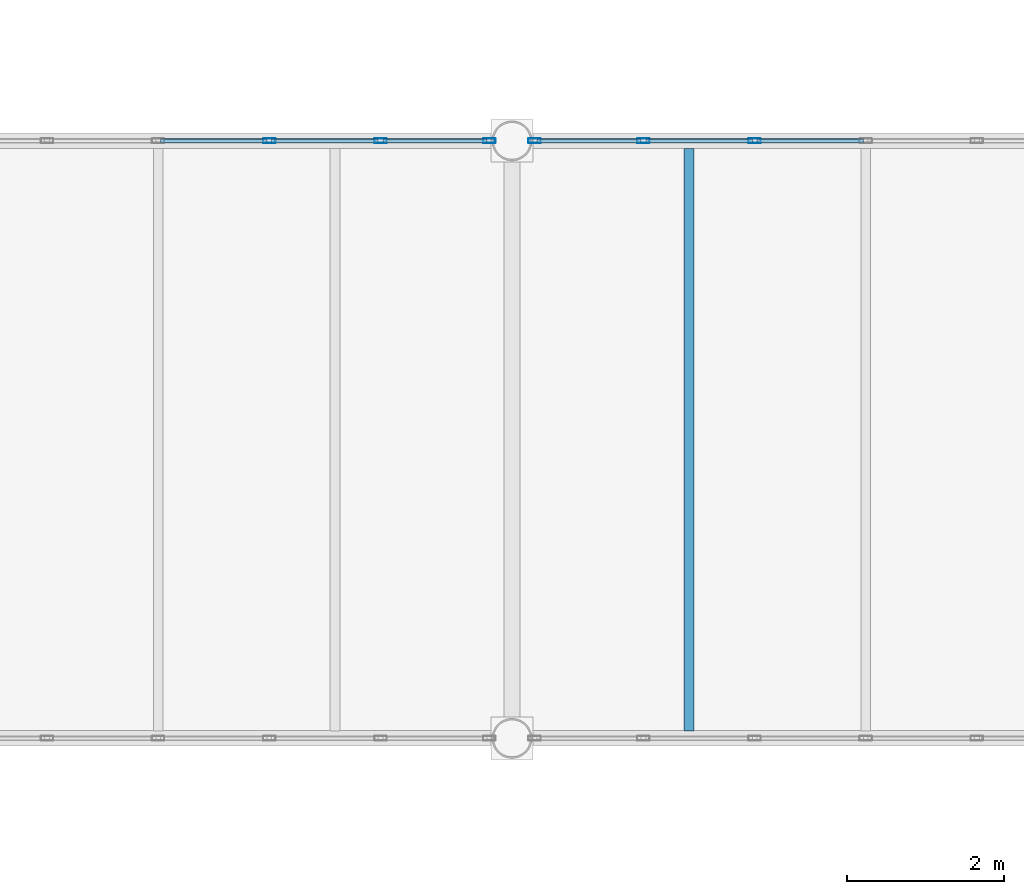
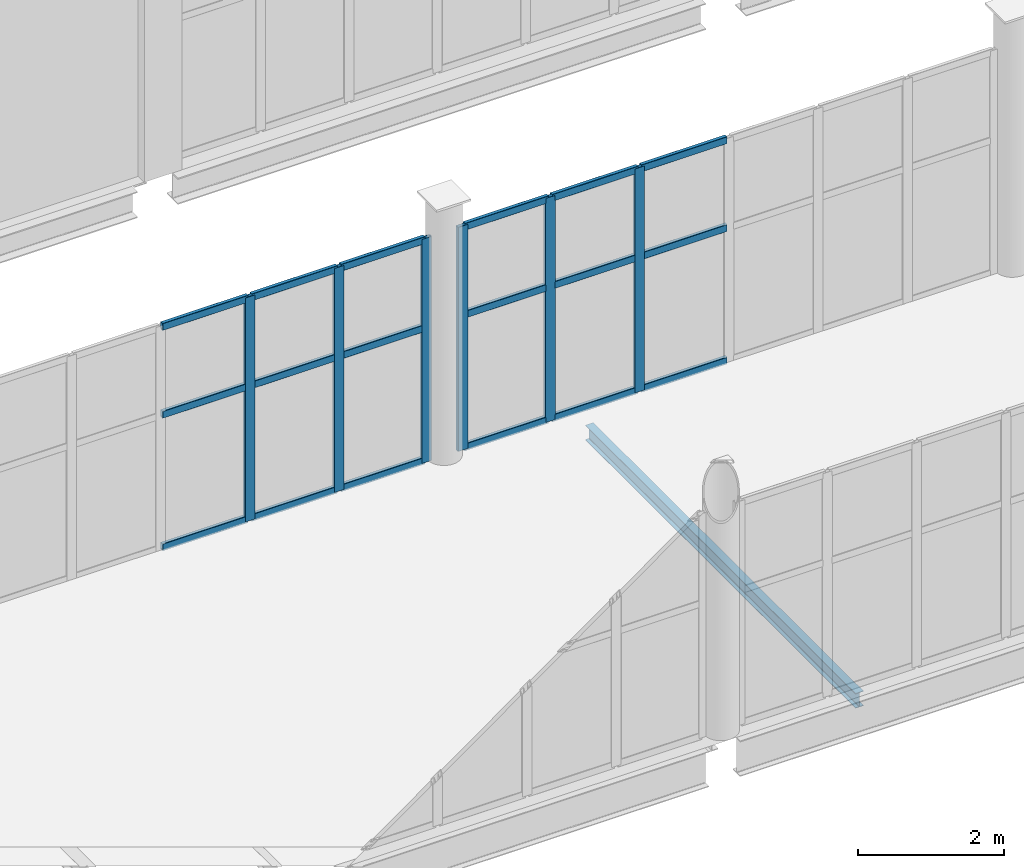
# One storey, part 83 of 136: 24 members, 1 beam, 2 elements without a shape of their own.
"""IFC4 building model written with IfcOpenShell, lengths in metres."""

from ifc_helpers import new_model, si_unit, direction, frame, origin, origin_2d, place, context, subcontext, project, spatial, hollow_rectangle, i_section, extrude, material, material_profile, profile_set, type_object, element, aggregate, save


model = new_model("IFC4")

# Units and contexts
model_context = context("Model", 3, precision=1e-05, world=origin(), true_north=direction((0.0, 1.0)))
body_context = subcontext(model_context, "Body", "Model", "MODEL_VIEW")
ifc_project = project(units=[si_unit("LENGTHUNIT", "METRE"), si_unit("AREAUNIT", "SQUARE_METRE"), si_unit("VOLUMEUNIT", "CUBIC_METRE"), si_unit("PLANEANGLEUNIT", "RADIAN"), si_unit("MASSUNIT", "GRAM", prefix="KILO")], contexts=[model_context])

# Site, building, storey
site_placement = place(None, origin())
site = spatial("IfcSite", under=ifc_project, at=site_placement, CompositionType="ELEMENT")
building_placement = place(site_placement, origin())
building = spatial("IfcBuilding", under=site, at=building_placement, Name="Shengluoqiao Park Theatre", CompositionType="ELEMENT")
storey_placement = place(building_placement, frame((0.0, 0.0, 10.0)))
storey = spatial("IfcBuildingStorey", under=building, at=storey_placement, Name="L02", CompositionType="ELEMENT", Elevation=10.0)

# Curtain wall, members
ifc_material_1 = material(Name="Aluminium 6063-T6", Category="aluminium")
curtain_wall_type = type_object("IfcCurtainWallType", Name="ENV-CW-BRIDGE", PredefinedType="NOTDEFINED", material=ifc_material_1)
curtain_wall_1_placement = place(storey_placement, origin())
curtain_wall_1 = element("IfcCurtainWall", 1, at=curtain_wall_1_placement, inside=storey, type_object=curtain_wall_type, Name="L02 Curtain Wall CWX-L02-0120", PredefinedType="NOTDEFINED")
ifc_material_profile_1 = material_profile(ifc_material_1, hollow_rectangle(XDim=0.06005859375, YDim=0.159912109375, WallThickness=0.00390625, InnerFilletRadius=0.00390625, OuterFilletRadius=0.008056640625, at=origin_2d()), Name="ALU MULLION 160x60x4")
ifc_profile_set_1 = profile_set([ifc_material_profile_1], Name="Aluminium 6063-T6")
member_type_1 = type_object("IfcMemberType", Name="ENV-MUL-160", PredefinedType="MULLION", material=ifc_profile_set_1)
member_1_placement = place(storey_placement, frame((136.31396484375, 76.0, 0.0), z_axis=(0.0, 0.0, 1.0), x_axis=(0.0, 1.0, 0.0)))
member_1 = element("IfcMember", 2, at=member_1_placement, type_object=member_type_1, Name="CW-03 mullion 5", PredefinedType="MULLION", context=body_context, shape_type="SweptSolid", body=[
    extrude(hollow_rectangle(XDim=0.06005859375, YDim=0.159912109375, WallThickness=0.00390625, InnerFilletRadius=0.00390625, OuterFilletRadius=0.008056640625, at=origin_2d()), origin(), (0.0, 0.0, 1.0), 3.751953125),
])
member_2_placement = place(storey_placement, frame((137.72802734375, 76.0, 0.0), z_axis=(0.0, 0.0, 1.0), x_axis=(0.0, 1.0, 0.0)))
member_2 = element("IfcMember", 3, at=member_2_placement, type_object=member_type_1, Name="CW-03 mullion 6", PredefinedType="MULLION", context=body_context, shape_type="SweptSolid", body=[
    extrude(hollow_rectangle(XDim=0.06005859375, YDim=0.159912109375, WallThickness=0.00390625, InnerFilletRadius=0.00390625, OuterFilletRadius=0.008056640625, at=origin_2d()), origin(), (0.0, 0.0, 1.0), 3.751953125),
])
member_3_placement = place(storey_placement, frame((139.112060546875, 76.0, 0.0), z_axis=(0.0, 0.0, 1.0), x_axis=(0.0, 1.0, 0.0)))
member_3 = element("IfcMember", 4, at=member_3_placement, type_object=member_type_1, Name="CW-03 mullion 7", PredefinedType="MULLION", context=body_context, shape_type="SweptSolid", body=[
    extrude(hollow_rectangle(XDim=0.06005859375, YDim=0.159912109375, WallThickness=0.00390625, InnerFilletRadius=0.00390625, OuterFilletRadius=0.008056640625, at=origin_2d()), origin(), (0.0, 0.0, 1.0), 3.751953125),
])

curtain_wall_2_placement = place(storey_placement, origin())
curtain_wall_2 = element("IfcCurtainWall", 5, at=curtain_wall_2_placement, inside=storey, type_object=curtain_wall_type, Name="L02 Curtain Wall CWX-L02-0121", PredefinedType="NOTDEFINED")
member_4_placement = place(storey_placement, frame((139.68798828125, 76.0, 0.0), z_axis=(0.0, 0.0, 1.0), x_axis=(0.0, 1.0, 0.0)))
member_4 = element("IfcMember", 6, at=member_4_placement, type_object=member_type_1, Name="CW-03 mullion 1", PredefinedType="MULLION", context=body_context, shape_type="SweptSolid", body=[
    extrude(hollow_rectangle(XDim=0.06005859375, YDim=0.159912109375, WallThickness=0.00390625, InnerFilletRadius=0.00390625, OuterFilletRadius=0.008056640625, at=origin_2d()), origin(), (0.0, 0.0, 1.0), 3.751953125),
])
member_5_placement = place(storey_placement, frame((141.072021484375, 76.0, 0.0), z_axis=(0.0, 0.0, 1.0), x_axis=(0.0, 1.0, 0.0)))
member_5 = element("IfcMember", 7, at=member_5_placement, type_object=member_type_1, Name="CW-03 mullion 2", PredefinedType="MULLION", context=body_context, shape_type="SweptSolid", body=[
    extrude(hollow_rectangle(XDim=0.06005859375, YDim=0.159912109375, WallThickness=0.00390625, InnerFilletRadius=0.00390625, OuterFilletRadius=0.008056640625, at=origin_2d()), origin(), (0.0, 0.0, 1.0), 3.751953125),
])
member_6_placement = place(storey_placement, frame((142.486083984375, 76.0, 0.0), z_axis=(0.0, 0.0, 1.0), x_axis=(0.0, 1.0, 0.0)))
member_6 = element("IfcMember", 8, at=member_6_placement, type_object=member_type_1, Name="CW-03 mullion 3", PredefinedType="MULLION", context=body_context, shape_type="SweptSolid", body=[
    extrude(hollow_rectangle(XDim=0.06005859375, YDim=0.159912109375, WallThickness=0.00390625, InnerFilletRadius=0.00390625, OuterFilletRadius=0.008056640625, at=origin_2d()), origin(), (0.0, 0.0, 1.0), 3.751953125),
])

# Member
ifc_material_profile_2 = material_profile(ifc_material_1, hollow_rectangle(XDim=0.06005859375, YDim=0.1201171875, WallThickness=0.00390625, InnerFilletRadius=0.00390625, OuterFilletRadius=0.008056640625, at=origin_2d()), Name="ALU TRANSOM 120x60x4")
ifc_profile_set_2 = profile_set([ifc_material_profile_2], Name="Aluminium 6063-T6")
member_type_2 = type_object("IfcMemberType", Name="ENV-TRN-120", PredefinedType="USERDEFINED", material=ifc_profile_set_2)
member_7_placement = place(storey_placement, frame((134.929931640625, 76.0, 0.030029296875), z_axis=(1.0, 0.0, 0.0), x_axis=(0.0, 1.0, 0.0)))
member_7 = element("IfcMember", 9, at=member_7_placement, type_object=member_type_2, Name="CW-03 transom 4.1", ObjectType="TRANSOM", PredefinedType="USERDEFINED", context=body_context, shape_type="SweptSolid", body=[
    extrude(hollow_rectangle(XDim=0.06005859375, YDim=0.1201171875, WallThickness=0.00390625, InnerFilletRadius=0.00390625, OuterFilletRadius=0.008056640625, at=origin_2d()), origin(), (0.0, 0.0, 1.0), 1.35400390625),
])

member_8_placement = place(storey_placement, frame((134.929931640625, 76.0, 2.2509765625), z_axis=(1.0, 0.0, 0.0), x_axis=(0.0, 1.0, 0.0)))
member_8 = element("IfcMember", 10, at=member_8_placement, type_object=member_type_2, Name="CW-03 transom 4.2", ObjectType="TRANSOM", PredefinedType="USERDEFINED", context=body_context, shape_type="SweptSolid", body=[
    extrude(hollow_rectangle(XDim=0.06005859375, YDim=0.1201171875, WallThickness=0.00390625, InnerFilletRadius=0.00390625, OuterFilletRadius=0.008056640625, at=origin_2d()), origin(), (0.0, 0.0, 1.0), 1.35400390625),
])

member_9_placement = place(storey_placement, frame((134.929931640625, 76.0, 3.721923828125), z_axis=(1.0, 0.0, 0.0), x_axis=(0.0, 1.0, 0.0)))
member_9 = element("IfcMember", 11, at=member_9_placement, type_object=member_type_2, Name="CW-03 transom 4.3", ObjectType="TRANSOM", PredefinedType="USERDEFINED", context=body_context, shape_type="SweptSolid", body=[
    extrude(hollow_rectangle(XDim=0.06005859375, YDim=0.1201171875, WallThickness=0.00390625, InnerFilletRadius=0.00390625, OuterFilletRadius=0.008056640625, at=origin_2d()), origin(), (0.0, 0.0, 1.0), 1.35400390625),
])

member_10_placement = place(storey_placement, frame((136.343994140625, 76.0, 0.030029296875), z_axis=(1.0, 0.0, 0.0), x_axis=(0.0, 1.0, 0.0)))
member_10 = element("IfcMember", 12, at=member_10_placement, type_object=member_type_2, Name="CW-03 transom 5.1", ObjectType="TRANSOM", PredefinedType="USERDEFINED", context=body_context, shape_type="SweptSolid", body=[
    extrude(hollow_rectangle(XDim=0.06005859375, YDim=0.1201171875, WallThickness=0.00390625, InnerFilletRadius=0.00390625, OuterFilletRadius=0.008056640625, at=origin_2d()), origin(), (0.0, 0.0, 1.0), 1.35400390625),
])

member_11_placement = place(storey_placement, frame((136.343994140625, 76.0, 2.2509765625), z_axis=(1.0, 0.0, 0.0), x_axis=(0.0, 1.0, 0.0)))
member_11 = element("IfcMember", 13, at=member_11_placement, type_object=member_type_2, Name="CW-03 transom 5.2", ObjectType="TRANSOM", PredefinedType="USERDEFINED", context=body_context, shape_type="SweptSolid", body=[
    extrude(hollow_rectangle(XDim=0.06005859375, YDim=0.1201171875, WallThickness=0.00390625, InnerFilletRadius=0.00390625, OuterFilletRadius=0.008056640625, at=origin_2d()), origin(), (0.0, 0.0, 1.0), 1.35400390625),
])

member_12_placement = place(storey_placement, frame((136.343994140625, 76.0, 3.721923828125), z_axis=(1.0, 0.0, 0.0), x_axis=(0.0, 1.0, 0.0)))
member_12 = element("IfcMember", 14, at=member_12_placement, type_object=member_type_2, Name="CW-03 transom 5.3", ObjectType="TRANSOM", PredefinedType="USERDEFINED", context=body_context, shape_type="SweptSolid", body=[
    extrude(hollow_rectangle(XDim=0.06005859375, YDim=0.1201171875, WallThickness=0.00390625, InnerFilletRadius=0.00390625, OuterFilletRadius=0.008056640625, at=origin_2d()), origin(), (0.0, 0.0, 1.0), 1.35400390625),
])

member_13_placement = place(storey_placement, frame((137.758056640625, 76.0, 0.030029296875), z_axis=(1.0, 0.0, 0.0), x_axis=(0.0, 1.0, 0.0)))
member_13 = element("IfcMember", 15, at=member_13_placement, type_object=member_type_2, Name="CW-03 transom 6.1", ObjectType="TRANSOM", PredefinedType="USERDEFINED", context=body_context, shape_type="SweptSolid", body=[
    extrude(hollow_rectangle(XDim=0.06005859375, YDim=0.1201171875, WallThickness=0.00390625, InnerFilletRadius=0.00390625, OuterFilletRadius=0.008056640625, at=origin_2d()), origin(), (0.0, 0.0, 1.0), 1.323974609375),
])

member_14_placement = place(storey_placement, frame((137.758056640625, 76.0, 2.2509765625), z_axis=(1.0, 0.0, 0.0), x_axis=(0.0, 1.0, 0.0)))
member_14 = element("IfcMember", 16, at=member_14_placement, type_object=member_type_2, Name="CW-03 transom 6.2", ObjectType="TRANSOM", PredefinedType="USERDEFINED", context=body_context, shape_type="SweptSolid", body=[
    extrude(hollow_rectangle(XDim=0.06005859375, YDim=0.1201171875, WallThickness=0.00390625, InnerFilletRadius=0.00390625, OuterFilletRadius=0.008056640625, at=origin_2d()), origin(), (0.0, 0.0, 1.0), 1.323974609375),
])

member_15_placement = place(storey_placement, frame((137.758056640625, 76.0, 3.721923828125), z_axis=(1.0, 0.0, 0.0), x_axis=(0.0, 1.0, 0.0)))
member_15 = element("IfcMember", 17, at=member_15_placement, type_object=member_type_2, Name="CW-03 transom 6.3", ObjectType="TRANSOM", PredefinedType="USERDEFINED", context=body_context, shape_type="SweptSolid", body=[
    extrude(hollow_rectangle(XDim=0.06005859375, YDim=0.1201171875, WallThickness=0.00390625, InnerFilletRadius=0.00390625, OuterFilletRadius=0.008056640625, at=origin_2d()), origin(), (0.0, 0.0, 1.0), 1.323974609375),
])

aggregate(curtain_wall_1, [member_1, member_2, member_3, member_7, member_8, member_9, member_10, member_11, member_12, member_13, member_14, member_15])

member_16_placement = place(storey_placement, frame((139.718017578125, 76.0, 0.030029296875), z_axis=(1.0, 0.0, 0.0), x_axis=(0.0, 1.0, 0.0)))
member_16 = element("IfcMember", 18, at=member_16_placement, type_object=member_type_2, Name="CW-03 transom 1.1", ObjectType="TRANSOM", PredefinedType="USERDEFINED", context=body_context, shape_type="SweptSolid", body=[
    extrude(hollow_rectangle(XDim=0.06005859375, YDim=0.1201171875, WallThickness=0.00390625, InnerFilletRadius=0.00390625, OuterFilletRadius=0.008056640625, at=origin_2d()), origin(), (0.0, 0.0, 1.0), 1.323974609375),
])

member_17_placement = place(storey_placement, frame((139.718017578125, 76.0, 2.2509765625), z_axis=(1.0, 0.0, 0.0), x_axis=(0.0, 1.0, 0.0)))
member_17 = element("IfcMember", 19, at=member_17_placement, type_object=member_type_2, Name="CW-03 transom 1.2", ObjectType="TRANSOM", PredefinedType="USERDEFINED", context=body_context, shape_type="SweptSolid", body=[
    extrude(hollow_rectangle(XDim=0.06005859375, YDim=0.1201171875, WallThickness=0.00390625, InnerFilletRadius=0.00390625, OuterFilletRadius=0.008056640625, at=origin_2d()), origin(), (0.0, 0.0, 1.0), 1.323974609375),
])

member_18_placement = place(storey_placement, frame((139.718017578125, 76.0, 3.721923828125), z_axis=(1.0, 0.0, 0.0), x_axis=(0.0, 1.0, 0.0)))
member_18 = element("IfcMember", 20, at=member_18_placement, type_object=member_type_2, Name="CW-03 transom 1.3", ObjectType="TRANSOM", PredefinedType="USERDEFINED", context=body_context, shape_type="SweptSolid", body=[
    extrude(hollow_rectangle(XDim=0.06005859375, YDim=0.1201171875, WallThickness=0.00390625, InnerFilletRadius=0.00390625, OuterFilletRadius=0.008056640625, at=origin_2d()), origin(), (0.0, 0.0, 1.0), 1.323974609375),
])

member_19_placement = place(storey_placement, frame((141.10205078125, 76.0, 0.030029296875), z_axis=(1.0, 0.0, 0.0), x_axis=(0.0, 1.0, 0.0)))
member_19 = element("IfcMember", 21, at=member_19_placement, type_object=member_type_2, Name="CW-03 transom 2.1", ObjectType="TRANSOM", PredefinedType="USERDEFINED", context=body_context, shape_type="SweptSolid", body=[
    extrude(hollow_rectangle(XDim=0.06005859375, YDim=0.1201171875, WallThickness=0.00390625, InnerFilletRadius=0.00390625, OuterFilletRadius=0.008056640625, at=origin_2d()), origin(), (0.0, 0.0, 1.0), 1.35400390625),
])

member_20_placement = place(storey_placement, frame((141.10205078125, 76.0, 2.2509765625), z_axis=(1.0, 0.0, 0.0), x_axis=(0.0, 1.0, 0.0)))
member_20 = element("IfcMember", 22, at=member_20_placement, type_object=member_type_2, Name="CW-03 transom 2.2", ObjectType="TRANSOM", PredefinedType="USERDEFINED", context=body_context, shape_type="SweptSolid", body=[
    extrude(hollow_rectangle(XDim=0.06005859375, YDim=0.1201171875, WallThickness=0.00390625, InnerFilletRadius=0.00390625, OuterFilletRadius=0.008056640625, at=origin_2d()), origin(), (0.0, 0.0, 1.0), 1.35400390625),
])

member_21_placement = place(storey_placement, frame((141.10205078125, 76.0, 3.721923828125), z_axis=(1.0, 0.0, 0.0), x_axis=(0.0, 1.0, 0.0)))
member_21 = element("IfcMember", 23, at=member_21_placement, type_object=member_type_2, Name="CW-03 transom 2.3", ObjectType="TRANSOM", PredefinedType="USERDEFINED", context=body_context, shape_type="SweptSolid", body=[
    extrude(hollow_rectangle(XDim=0.06005859375, YDim=0.1201171875, WallThickness=0.00390625, InnerFilletRadius=0.00390625, OuterFilletRadius=0.008056640625, at=origin_2d()), origin(), (0.0, 0.0, 1.0), 1.35400390625),
])

member_22_placement = place(storey_placement, frame((142.51611328125, 76.0, 0.030029296875), z_axis=(1.0, 0.0, 0.0), x_axis=(0.0, 1.0, 0.0)))
member_22 = element("IfcMember", 24, at=member_22_placement, type_object=member_type_2, Name="CW-03 transom 3.1", ObjectType="TRANSOM", PredefinedType="USERDEFINED", context=body_context, shape_type="SweptSolid", body=[
    extrude(hollow_rectangle(XDim=0.06005859375, YDim=0.1201171875, WallThickness=0.00390625, InnerFilletRadius=0.00390625, OuterFilletRadius=0.008056640625, at=origin_2d()), origin(), (0.0, 0.0, 1.0), 1.35400390625),
])

member_23_placement = place(storey_placement, frame((142.51611328125, 76.0, 2.2509765625), z_axis=(1.0, 0.0, 0.0), x_axis=(0.0, 1.0, 0.0)))
member_23 = element("IfcMember", 25, at=member_23_placement, type_object=member_type_2, Name="CW-03 transom 3.2", ObjectType="TRANSOM", PredefinedType="USERDEFINED", context=body_context, shape_type="SweptSolid", body=[
    extrude(hollow_rectangle(XDim=0.06005859375, YDim=0.1201171875, WallThickness=0.00390625, InnerFilletRadius=0.00390625, OuterFilletRadius=0.008056640625, at=origin_2d()), origin(), (0.0, 0.0, 1.0), 1.35400390625),
])

member_24_placement = place(storey_placement, frame((142.51611328125, 76.0, 3.721923828125), z_axis=(1.0, 0.0, 0.0), x_axis=(0.0, 1.0, 0.0)))
member_24 = element("IfcMember", 26, at=member_24_placement, type_object=member_type_2, Name="CW-03 transom 3.3", ObjectType="TRANSOM", PredefinedType="USERDEFINED", context=body_context, shape_type="SweptSolid", body=[
    extrude(hollow_rectangle(XDim=0.06005859375, YDim=0.1201171875, WallThickness=0.00390625, InnerFilletRadius=0.00390625, OuterFilletRadius=0.008056640625, at=origin_2d()), origin(), (0.0, 0.0, 1.0), 1.35400390625),
])

aggregate(curtain_wall_2, [member_4, member_5, member_6, member_16, member_17, member_18, member_19, member_20, member_21, member_22, member_23, member_24])

# Beam
ifc_material_2 = material(Name="Steel Q355", Category="steel")
ifc_material_profile_3 = material_profile(ifc_material_2, i_section(OverallWidth=0.125, OverallDepth=0.25, WebThickness=0.006103515625, FlangeThickness=0.009033203125, FilletRadius=0.010009765625, at=origin_2d()), Name="HN 250x125x6x9")
ifc_profile_set_3 = profile_set([ifc_material_profile_3], Name="Steel Q355")
beam_type = type_object("IfcBeamType", Name="STR-BM-J-HN250", PredefinedType="JOIST", material=ifc_profile_set_3)
beam_placement = place(storey_placement, frame((141.64990234375, 68.494384765625, -0.3349609375), z_axis=(0.0, 1.0, 0.0), x_axis=(-1.0, 0.0, 0.0)))
element("IfcBeam", 27, at=beam_placement, inside=storey, type_object=beam_type, Name="L02 Composite Joist 01047", PredefinedType="JOIST", context=body_context, shape_type="SweptSolid", body=[
    extrude(i_section(OverallWidth=0.125, OverallDepth=0.25, WebThickness=0.006103515625, FlangeThickness=0.009033203125, FilletRadius=0.010009765625, at=origin_2d()), origin(), (0.0, 0.0, 1.0), 7.4111328125),
])

save(model, "model.ifc")
